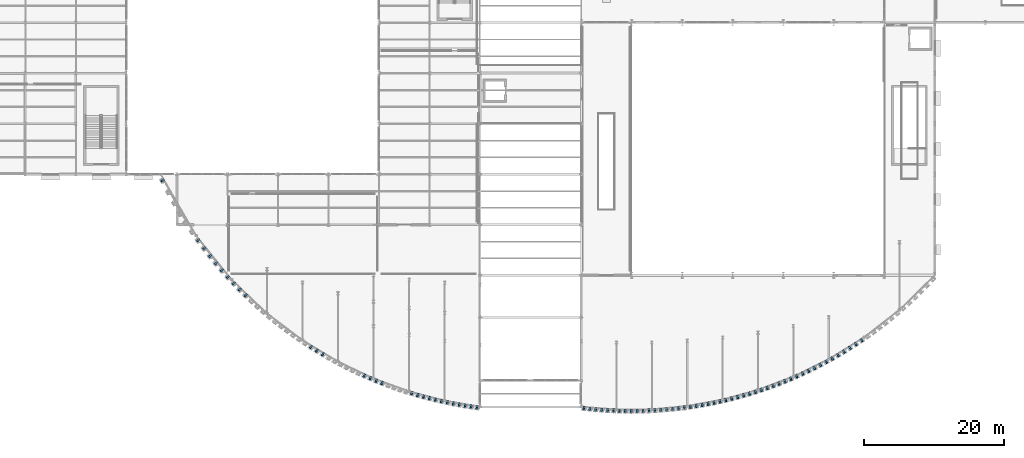
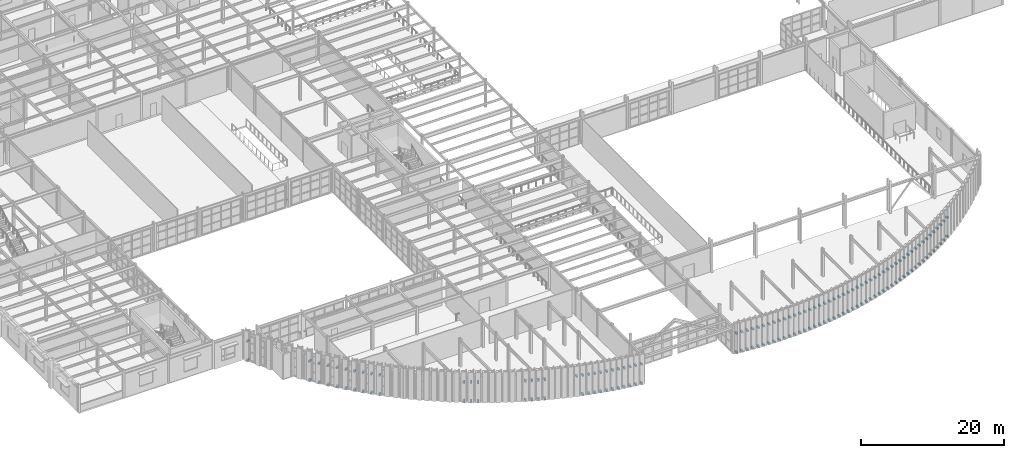
# One storey, part 111 of 126: 153 discrete accessories.
"""IFC4 building model written with IfcOpenShell, lengths in metres."""

from ifc_helpers import new_model, si_unit, direction, frame, origin, origin_2d, place, context, subcontext, project, spatial, rectangle, extrude, material, type_object, element, save


model = new_model("IFC4")

# Units and contexts
model_context = context("Model", 3, precision=1e-05, world=origin(), true_north=direction((0.0, 1.0)))
body_context = subcontext(model_context, "Body", "Model", "MODEL_VIEW")
ifc_project = project(units=[si_unit("LENGTHUNIT", "METRE"), si_unit("AREAUNIT", "SQUARE_METRE"), si_unit("VOLUMEUNIT", "CUBIC_METRE"), si_unit("PLANEANGLEUNIT", "RADIAN"), si_unit("MASSUNIT", "GRAM", prefix="KILO")], contexts=[model_context])

# Site, building, storey
site_placement = place(None, origin())
site = spatial("IfcSite", under=ifc_project, at=site_placement, CompositionType="ELEMENT")
building_placement = place(site_placement, origin())
building = spatial("IfcBuilding", under=site, at=building_placement, Name="Solvadek Multi-Sports Hall", CompositionType="ELEMENT")
storey_placement = place(building_placement, frame((0.0, 0.0, 9.60009765625)))
storey = spatial("IfcBuildingStorey", under=building, at=storey_placement, Name="L02", CompositionType="ELEMENT", Elevation=9.60009765625)

# Discrete accessories
ifc_material = material(Name="Steel E250 (250 MPa)", Category="steel")
discrete_accessory_type = type_object("IfcDiscreteAccessoryType", Name="ENV-BRK-CLEAT", PredefinedType="BRACKET", material=ifc_material)
for number, where, z_axis, x_axis, name in (
    (1, (26.75146484375, 19.50341796875, -0.01025390625), (0.0, 0.0, 1.0), (0.451555495273, -0.892243035663, 0.0), "L02 Screen Fixing Bracket #3"),
    (2, (26.75146484375, 19.50341796875, 3.2197265625), (0.0, 0.0, 1.0), (0.451555495273, -0.892243035663, 0.0), "L02 Screen Fixing Bracket #3"),
    (3, (31.82421875, 10.97705078125, -0.01025390625), (0.0, 0.0, 1.0), (0.593159455627, -0.805085001848, 0.0), "L02 Screen Fixing Bracket #15"),
    (4, (31.82421875, 10.97705078125, 3.2197265625), (0.0, 0.0, 1.0), (0.593159455627, -0.805085001848, 0.0), "L02 Screen Fixing Bracket #15"),
    (5, (32.667724609375, 9.832275390625, -0.01025390625), (0.0, 0.0, 1.0), (0.593159455627, -0.805085001848, 0.0), "L02 Screen Fixing Bracket #16"),
    (6, (32.667724609375, 9.832275390625, 3.2197265625), (0.0, 0.0, 1.0), (0.593159455627, -0.805085001848, 0.0), "L02 Screen Fixing Bracket #16"),
    (7, (33.51513671875, 8.735595703125, -0.01025390625), (0.0, 0.0, 1.0), (0.630677076434, -0.776045375774, 0.0), "L02 Screen Fixing Bracket #19"),
    (8, (33.51513671875, 8.735595703125, 3.2197265625), (0.0, 0.0, 1.0), (0.630677076434, -0.776045375774, 0.0), "L02 Screen Fixing Bracket #19"),
    (9, (34.358642578125, 7.69775390625, -0.01025390625), (0.0, 0.0, 1.0), (0.630677076434, -0.776045375774, 0.0), "L02 Screen Fixing Bracket #20"),
    (10, (34.358642578125, 7.69775390625, 3.2197265625), (0.0, 0.0, 1.0), (0.630677076434, -0.776045375774, 0.0), "L02 Screen Fixing Bracket #20"),
    (11, (35.2060546875, 6.7001953125, -0.01025390625), (0.0, 0.0, 1.0), (0.664767330468, -0.747050464388, 0.0), "L02 Screen Fixing Bracket #23"),
    (12, (35.2060546875, 6.7001953125, 3.2197265625), (0.0, 0.0, 1.0), (0.664767330468, -0.747050464388, 0.0), "L02 Screen Fixing Bracket #23"),
    (13, (36.049560546875, 5.75244140625, -0.01025390625), (0.0, 0.0, 1.0), (0.664767330468, -0.747050464388, 0.0), "L02 Screen Fixing Bracket #24"),
    (14, (36.049560546875, 5.75244140625, 3.2197265625), (0.0, 0.0, 1.0), (0.664767330468, -0.747050464388, 0.0), "L02 Screen Fixing Bracket #24"),
    (15, (36.89697265625, 4.8388671875, -0.01025390625), (0.0, 0.0, 1.0), (0.696004704957, -0.718037220956, 0.0), "L02 Screen Fixing Bracket #27"),
    (16, (36.89697265625, 4.8388671875, 3.2197265625), (0.0, 0.0, 1.0), (0.696004704957, -0.718037220956, 0.0), "L02 Screen Fixing Bracket #27"),
    (17, (37.740478515625, 3.96875, -0.01025390625), (0.0, 0.0, 1.0), (0.696004704957, -0.718037220956, 0.0), "L02 Screen Fixing Bracket #28"),
    (18, (37.740478515625, 3.96875, 3.2197265625), (0.0, 0.0, 1.0), (0.696004704957, -0.718037220956, 0.0), "L02 Screen Fixing Bracket #28"),
    (19, (38.587890625, 3.12890625, -0.01025390625), (0.0, 0.0, 1.0), (0.724733346655, -0.689029445123, 0.0), "L02 Screen Fixing Bracket #31"),
    (20, (38.587890625, 3.12890625, 3.2197265625), (0.0, 0.0, 1.0), (0.724733346655, -0.689029445123, 0.0), "L02 Screen Fixing Bracket #31"),
    (21, (47.885986328125, -4.216064453125, -0.01025390625), (0.0, 0.0, 1.0), (0.839053337602, -0.544049167502, 0.0), "L02 Screen Fixing Bracket #52"),
    (22, (47.885986328125, -4.216064453125, 3.2197265625), (0.0, 0.0, 1.0), (0.839053337602, -0.544049167502, 0.0), "L02 Screen Fixing Bracket #52"),
    (23, (48.7333984375, -4.74560546875, -0.01025390625), (0.0, 0.0, 1.0), (0.857129541862, -0.515100910956, 0.0), "L02 Screen Fixing Bracket #55"),
    (24, (48.7333984375, -4.74560546875, 3.2197265625), (0.0, 0.0, 1.0), (0.857129541862, -0.515100910956, 0.0), "L02 Screen Fixing Bracket #55"),
    (25, (49.576904296875, -5.25244140625, -0.01025390625), (0.0, 0.0, 1.0), (0.857129541862, -0.515100910956, 0.0), "L02 Screen Fixing Bracket #56"),
    (26, (49.576904296875, -5.25244140625, 3.2197265625), (0.0, 0.0, 1.0), (0.857129541862, -0.515100910956, 0.0), "L02 Screen Fixing Bracket #56"),
    (27, (55.4970703125, -8.302001953125, -0.01025390625), (0.0, 0.0, 1.0), (0.916917898667, -0.399075891409, 0.0), "L02 Screen Fixing Bracket #71"),
    (28, (55.4970703125, -8.302001953125, 3.2197265625), (0.0, 0.0, 1.0), (0.916917898667, -0.399075891409, 0.0), "L02 Screen Fixing Bracket #71"),
    (29, (56.340576171875, -8.6689453125, -0.01025390625), (0.0, 0.0, 1.0), (0.916917898667, -0.399075891409, 0.0), "L02 Screen Fixing Bracket #72"),
    (30, (56.340576171875, -8.6689453125, 3.2197265625), (0.0, 0.0, 1.0), (0.916917898667, -0.399075891409, 0.0), "L02 Screen Fixing Bracket #72"),
    (31, (57.18798828125, -9.022216796875, -0.01025390625), (0.0, 0.0, 1.0), (0.92898095972, -0.370127513808, 0.0), "L02 Screen Fixing Bracket #75"),
    (32, (57.18798828125, -9.022216796875, 3.2197265625), (0.0, 0.0, 1.0), (0.92898095972, -0.370127513808, 0.0), "L02 Screen Fixing Bracket #75"),
    (33, (58.031494140625, -9.3583984375, -0.01025390625), (0.0, 0.0, 1.0), (0.92898095972, -0.370127513808, 0.0), "L02 Screen Fixing Bracket #76"),
    (34, (58.031494140625, -9.3583984375, 3.2197265625), (0.0, 0.0, 1.0), (0.92898095972, -0.370127513808, 0.0), "L02 Screen Fixing Bracket #76"),
    (35, (62.260986328125, -10.821533203125, 3.2197265625), (0.0, 0.0, 1.0), (0.959064393359, -0.2831880813, 0.0), "L02 Screen Fixing Bracket #87"),
    (36, (63.104248046875, -11.070556640625, -0.01025390625), (0.0, 0.0, 1.0), (0.959064393359, -0.2831880813, 0.0), "L02 Screen Fixing Bracket #88"),
    (37, (63.104248046875, -11.070556640625, 3.2197265625), (0.0, 0.0, 1.0), (0.959064393359, -0.2831880813, 0.0), "L02 Screen Fixing Bracket #88"),
    (38, (63.951904296875, -11.306884765625, -0.01025390625), (0.0, 0.0, 1.0), (0.967172504077, -0.25412073382, 0.0), "L02 Screen Fixing Bracket #91"),
    (39, (63.951904296875, -11.306884765625, 3.2197265625), (0.0, 0.0, 1.0), (0.967172504077, -0.25412073382, 0.0), "L02 Screen Fixing Bracket #91"),
    (40, (64.795166015625, -11.528564453125, -0.01025390625), (0.0, 0.0, 1.0), (0.967172504077, -0.25412073382, 0.0), "L02 Screen Fixing Bracket #92"),
    (41, (64.795166015625, -11.528564453125, 3.2197265625), (0.0, 0.0, 1.0), (0.967172504077, -0.25412073382, 0.0), "L02 Screen Fixing Bracket #92"),
    (42, (65.642578125, -11.73779296875, -0.01025390625), (0.0, 0.0, 1.0), (0.974313261817, -0.225196953459, 0.0), "L02 Screen Fixing Bracket #95"),
    (43, (65.642578125, -11.73779296875, 3.2197265625), (0.0, 0.0, 1.0), (0.974313261817, -0.225196953459, 0.0), "L02 Screen Fixing Bracket #95"),
    (44, (66.486083984375, -11.932861328125, -0.01025390625), (0.0, 0.0, 1.0), (0.974313261817, -0.225196953459, 0.0), "L02 Screen Fixing Bracket #96"),
    (45, (66.486083984375, -11.932861328125, 3.2197265625), (0.0, 0.0, 1.0), (0.974313261817, -0.225196953459, 0.0), "L02 Screen Fixing Bracket #96"),
    (46, (67.333740234375, -12.115478515625, -0.01025390625), (0.0, 0.0, 1.0), (0.980567259161, -0.196183205861, 0.0), "L02 Screen Fixing Bracket #99"),
    (47, (67.333740234375, -12.115478515625, 3.2197265625), (0.0, 0.0, 1.0), (0.980567259161, -0.196183205861, 0.0), "L02 Screen Fixing Bracket #99"),
    (48, (68.177001953125, -12.284423828125, -0.01025390625), (0.0, 0.0, 1.0), (0.980567259161, -0.196183205861, 0.0), "L02 Screen Fixing Bracket #100"),
    (49, (68.177001953125, -12.284423828125, 3.2197265625), (0.0, 0.0, 1.0), (0.980567259161, -0.196183205861, 0.0), "L02 Screen Fixing Bracket #100"),
    (50, (69.024658203125, -12.44091796875, -0.01025390625), (0.0, 0.0, 1.0), (0.985919127793, -0.16722282575, 0.0), "L02 Screen Fixing Bracket #103"),
    (51, (69.024658203125, -12.44091796875, 3.2197265625), (0.0, 0.0, 1.0), (0.985919127793, -0.16722282575, 0.0), "L02 Screen Fixing Bracket #103"),
    (52, (69.867919921875, -12.583984375, -0.01025390625), (0.0, 0.0, 1.0), (0.985919127793, -0.16722282575, 0.0), "L02 Screen Fixing Bracket #104"),
    (53, (69.867919921875, -12.583984375, 3.2197265625), (0.0, 0.0, 1.0), (0.985919127793, -0.16722282575, 0.0), "L02 Screen Fixing Bracket #104"),
    (54, (70.715576171875, -12.715087890625, -0.01025390625), (0.0, 0.0, 1.0), (0.990403400267, -0.138206746357, 0.0), "L02 Screen Fixing Bracket #107"),
    (55, (70.715576171875, -12.715087890625, 3.2197265625), (0.0, 0.0, 1.0), (0.990403400267, -0.138206746357, 0.0), "L02 Screen Fixing Bracket #107"),
    (56, (71.558837890625, -12.832763671875, -0.01025390625), (0.0, 0.0, 1.0), (0.990403400267, -0.138206746357, 0.0), "L02 Screen Fixing Bracket #108"),
    (57, (71.558837890625, -12.832763671875, 3.2197265625), (0.0, 0.0, 1.0), (0.990403400267, -0.138206746357, 0.0), "L02 Screen Fixing Bracket #108"),
    (58, (86.8046875, -12.938232421875, -0.01025390625), (0.0, 0.0, 1.0), (0.99401078481, -0.109282019021, 0.0), "L02 Screen Fixing Bracket #111"),
    (59, (86.8046875, -12.938232421875, 3.2197265625), (0.0, 0.0, 1.0), (0.99401078481, -0.109282019021, 0.0), "L02 Screen Fixing Bracket #111"),
    (60, (87.644775390625, -13.030517578125, -0.01025390625), (0.0, 0.0, 1.0), (0.99401078481, -0.109282019021, 0.0), "L02 Screen Fixing Bracket #112"),
    (61, (87.644775390625, -13.030517578125, 3.2197265625), (0.0, 0.0, 1.0), (0.99401078481, -0.109282019021, 0.0), "L02 Screen Fixing Bracket #112"),
    (62, (88.48876953125, -13.111083984375, -0.01025390625), (0.0, 0.0, 1.0), (0.996758432085, -0.080452644873, 0.0), "L02 Screen Fixing Bracket #115"),
    (63, (88.48876953125, -13.111083984375, 3.2197265625), (0.0, 0.0, 1.0), (0.996758432085, -0.080452644873, 0.0), "L02 Screen Fixing Bracket #115"),
    (64, (89.328857421875, -13.178955078125, -0.01025390625), (0.0, 0.0, 1.0), (0.996758432085, -0.080452644873, 0.0), "L02 Screen Fixing Bracket #116"),
    (65, (89.328857421875, -13.178955078125, 3.2197265625), (0.0, 0.0, 1.0), (0.996758432085, -0.080452644873, 0.0), "L02 Screen Fixing Bracket #116"),
    (66, (90.1728515625, -13.234619140625, -0.01025390625), (0.0, 0.0, 1.0), (0.998671005445, -0.051538557245, 0.0), "L02 Screen Fixing Bracket #119"),
    (67, (90.1728515625, -13.234619140625, 3.2197265625), (0.0, 0.0, 1.0), (0.998671005445, -0.051538557245, 0.0), "L02 Screen Fixing Bracket #119"),
    (68, (91.0126953125, -13.278076171875, -0.01025390625), (0.0, 0.0, 1.0), (0.998671005445, -0.051538557245, 0.0), "L02 Screen Fixing Bracket #120"),
    (69, (91.0126953125, -13.278076171875, 3.2197265625), (0.0, 0.0, 1.0), (0.998671005445, -0.051538557245, 0.0), "L02 Screen Fixing Bracket #120"),
    (70, (91.85693359375, -13.309326171875, -0.01025390625), (0.0, 0.0, 1.0), (0.999742940353, -0.02267274168, 0.0), "L02 Screen Fixing Bracket #123"),
    (71, (91.85693359375, -13.309326171875, 3.2197265625), (0.0, 0.0, 1.0), (0.999742940353, -0.02267274168, 0.0), "L02 Screen Fixing Bracket #123"),
    (72, (92.69677734375, -13.328369140625, -0.01025390625), (0.0, 0.0, 1.0), (0.999742940353, -0.02267274168, 0.0), "L02 Screen Fixing Bracket #124"),
    (73, (92.69677734375, -13.328369140625, 3.2197265625), (0.0, 0.0, 1.0), (0.999742940353, -0.02267274168, 0.0), "L02 Screen Fixing Bracket #124"),
    (74, (93.540771484375, -13.33544921875, -0.01025390625), (0.0, 0.0, 1.0), (0.999980839553, 0.006190357575, 0.0), "L02 Screen Fixing Bracket #127"),
    (75, (93.540771484375, -13.33544921875, 3.2197265625), (0.0, 0.0, 1.0), (0.999980839553, 0.006190357575, 0.0), "L02 Screen Fixing Bracket #127"),
    (76, (94.380859375, -13.330078125, -0.01025390625), (0.0, 0.0, 1.0), (0.999980839553, 0.006190357575, 0.0), "L02 Screen Fixing Bracket #128"),
    (77, (94.380859375, -13.330078125, 3.2197265625), (0.0, 0.0, 1.0), (0.999980839553, 0.006190357575, 0.0), "L02 Screen Fixing Bracket #128"),
    (78, (95.224853515625, -13.312744140625, -0.01025390625), (0.0, 0.0, 1.0), (0.999385980888, 0.035037996585, 0.0), "L02 Screen Fixing Bracket #131"),
    (79, (95.224853515625, -13.312744140625, 3.2197265625), (0.0, 0.0, 1.0), (0.999385980888, 0.035037996585, 0.0), "L02 Screen Fixing Bracket #131"),
    (80, (96.06494140625, -13.283447265625, -0.01025390625), (0.0, 0.0, 1.0), (0.999385980888, 0.035037996585, 0.0), "L02 Screen Fixing Bracket #132"),
    (81, (96.06494140625, -13.283447265625, 3.2197265625), (0.0, 0.0, 1.0), (0.999385980888, 0.035037996585, 0.0), "L02 Screen Fixing Bracket #132"),
    (82, (96.908935546875, -13.241455078125, -0.01025390625), (0.0, 0.0, 1.0), (0.997955239955, 0.063916657037, 0.0), "L02 Screen Fixing Bracket #135"),
    (83, (96.908935546875, -13.241455078125, 3.2197265625), (0.0, 0.0, 1.0), (0.997955239955, 0.063916657037, 0.0), "L02 Screen Fixing Bracket #135"),
    (84, (97.7490234375, -13.187744140625, -0.01025390625), (0.0, 0.0, 1.0), (0.997955239955, 0.063916657037, 0.0), "L02 Screen Fixing Bracket #136"),
    (85, (97.7490234375, -13.187744140625, 3.2197265625), (0.0, 0.0, 1.0), (0.997955239955, 0.063916657037, 0.0), "L02 Screen Fixing Bracket #136"),
    (86, (98.593017578125, -13.121337890625, -0.01025390625), (0.0, 0.0, 1.0), (0.995683656408, 0.092811940833, 0.0), "L02 Screen Fixing Bracket #139"),
    (87, (98.593017578125, -13.121337890625, 3.2197265625), (0.0, 0.0, 1.0), (0.995683656408, 0.092811940833, 0.0), "L02 Screen Fixing Bracket #139"),
    (88, (99.43310546875, -13.04296875, -0.01025390625), (0.0, 0.0, 1.0), (0.995683656408, 0.092811940833, 0.0), "L02 Screen Fixing Bracket #140"),
    (89, (99.43310546875, -13.04296875, 3.2197265625), (0.0, 0.0, 1.0), (0.995683656408, 0.092811940833, 0.0), "L02 Screen Fixing Bracket #140"),
    (90, (100.277099609375, -12.951904296875, -0.01025390625), (0.0, 0.0, 1.0), (0.992573145786, 0.121649292087, 0.0), "L02 Screen Fixing Bracket #143"),
    (91, (100.277099609375, -12.951904296875, 3.2197265625), (0.0, 0.0, 1.0), (0.992573145786, 0.121649292087, 0.0), "L02 Screen Fixing Bracket #143"),
    (92, (101.116943359375, -12.84912109375, -0.01025390625), (0.0, 0.0, 1.0), (0.992573145786, 0.121649292087, 0.0), "L02 Screen Fixing Bracket #144"),
    (93, (101.116943359375, -12.84912109375, 3.2197265625), (0.0, 0.0, 1.0), (0.992573145786, 0.121649292087, 0.0), "L02 Screen Fixing Bracket #144"),
    (94, (101.961181640625, -12.733154296875, -0.01025390625), (0.0, 0.0, 1.0), (0.988605895809, 0.15052701675, 0.0), "L02 Screen Fixing Bracket #147"),
    (95, (101.961181640625, -12.733154296875, 3.2197265625), (0.0, 0.0, 1.0), (0.988605895809, 0.15052701675, 0.0), "L02 Screen Fixing Bracket #147"),
    (96, (102.801025390625, -12.605224609375, -0.01025390625), (0.0, 0.0, 1.0), (0.988605895809, 0.15052701675, 0.0), "L02 Screen Fixing Bracket #148"),
    (97, (102.801025390625, -12.605224609375, 3.2197265625), (0.0, 0.0, 1.0), (0.988605895809, 0.15052701675, 0.0), "L02 Screen Fixing Bracket #148"),
    (98, (103.64501953125, -12.4638671875, -0.01025390625), (0.0, 0.0, 1.0), (0.983772323835, 0.179421333339, 0.0), "L02 Screen Fixing Bracket #151"),
    (99, (103.64501953125, -12.4638671875, 3.2197265625), (0.0, 0.0, 1.0), (0.983772323835, 0.179421333339, 0.0), "L02 Screen Fixing Bracket #151"),
    (100, (104.485107421875, -12.310791015625, -0.01025390625), (0.0, 0.0, 1.0), (0.983772323835, 0.179421333339, 0.0), "L02 Screen Fixing Bracket #152"),
    (101, (104.485107421875, -12.310791015625, 3.2197265625), (0.0, 0.0, 1.0), (0.983772323835, 0.179421333339, 0.0), "L02 Screen Fixing Bracket #152"),
    (102, (105.3291015625, -12.143798828125, -0.01025390625), (0.0, 0.0, 1.0), (0.978075914323, 0.208248663432, 0.0), "L02 Screen Fixing Bracket #155"),
    (103, (105.3291015625, -12.143798828125, 3.2197265625), (0.0, 0.0, 1.0), (0.978075914323, 0.208248663432, 0.0), "L02 Screen Fixing Bracket #155"),
    (104, (106.169189453125, -11.965087890625, -0.01025390625), (0.0, 0.0, 1.0), (0.978075914323, 0.208248663432, 0.0), "L02 Screen Fixing Bracket #156"),
    (105, (106.169189453125, -11.965087890625, 3.2197265625), (0.0, 0.0, 1.0), (0.978075914323, 0.208248663432, 0.0), "L02 Screen Fixing Bracket #156"),
    (106, (107.01318359375, -11.772216796875, -0.01025390625), (0.0, 0.0, 1.0), (0.971474540489, 0.237143874435, 0.0), "L02 Screen Fixing Bracket #159"),
    (107, (107.01318359375, -11.772216796875, 3.2197265625), (0.0, 0.0, 1.0), (0.971474540489, 0.237143874435, 0.0), "L02 Screen Fixing Bracket #159"),
    (108, (107.853271484375, -11.567138671875, -0.01025390625), (0.0, 0.0, 1.0), (0.971474540489, 0.237143874435, 0.0), "L02 Screen Fixing Bracket #160"),
    (109, (107.853271484375, -11.567138671875, 3.2197265625), (0.0, 0.0, 1.0), (0.971474540489, 0.237143874435, 0.0), "L02 Screen Fixing Bracket #160"),
    (110, (108.697265625, -11.34765625, -0.01025390625), (0.0, 0.0, 1.0), (0.963970297161, 0.266009898671, 0.0), "L02 Screen Fixing Bracket #163"),
    (111, (108.697265625, -11.34765625, 3.2197265625), (0.0, 0.0, 1.0), (0.963970297161, 0.266009898671, 0.0), "L02 Screen Fixing Bracket #163"),
    (112, (109.537353515625, -11.115966796875, -0.01025390625), (0.0, 0.0, 1.0), (0.963970297161, 0.266009898671, 0.0), "L02 Screen Fixing Bracket #164"),
    (113, (109.537353515625, -11.115966796875, 3.2197265625), (0.0, 0.0, 1.0), (0.963970297161, 0.266009898671, 0.0), "L02 Screen Fixing Bracket #164"),
    (114, (110.38134765625, -10.869140625, -0.01025390625), (0.0, 0.0, 1.0), (0.955526555938, 0.294905070993, 0.0), "L02 Screen Fixing Bracket #167"),
    (115, (110.38134765625, -10.869140625, 3.2197265625), (0.0, 0.0, 1.0), (0.955526555938, 0.294905070993, 0.0), "L02 Screen Fixing Bracket #167"),
    (116, (111.22119140625, -10.60986328125, -0.01025390625), (0.0, 0.0, 1.0), (0.955526555938, 0.294905070993, 0.0), "L02 Screen Fixing Bracket #168"),
    (117, (111.22119140625, -10.60986328125, 3.2197265625), (0.0, 0.0, 1.0), (0.955526555938, 0.294905070993, 0.0), "L02 Screen Fixing Bracket #168"),
    (118, (112.0654296875, -10.335205078125, -0.01025390625), (0.0, 0.0, 1.0), (0.946153090794, 0.323719521778, 0.0), "L02 Screen Fixing Bracket #171"),
    (119, (112.0654296875, -10.335205078125, 3.2197265625), (0.0, 0.0, 1.0), (0.946153090794, 0.323719521778, 0.0), "L02 Screen Fixing Bracket #171"),
    (120, (112.9052734375, -10.0478515625, -0.01025390625), (0.0, 0.0, 1.0), (0.946153090794, 0.323719521778, 0.0), "L02 Screen Fixing Bracket #172"),
    (121, (112.9052734375, -10.0478515625, 3.2197265625), (0.0, 0.0, 1.0), (0.946153090794, 0.323719521778, 0.0), "L02 Screen Fixing Bracket #172"),
    (122, (113.749267578125, -9.744384765625, -0.01025390625), (0.0, 0.0, 1.0), (0.935760271469, 0.352636802305, 0.0), "L02 Screen Fixing Bracket #175"),
    (123, (113.749267578125, -9.744384765625, 3.2197265625), (0.0, 0.0, 1.0), (0.935760271469, 0.352636802305, 0.0), "L02 Screen Fixing Bracket #175"),
    (124, (114.58935546875, -9.427978515625, -0.01025390625), (0.0, 0.0, 1.0), (0.935760271469, 0.352636802305, 0.0), "L02 Screen Fixing Bracket #176"),
    (125, (114.58935546875, -9.427978515625, 3.2197265625), (0.0, 0.0, 1.0), (0.935760271469, 0.352636802305, 0.0), "L02 Screen Fixing Bracket #176"),
    (126, (115.433349609375, -9.0947265625, -0.01025390625), (0.0, 0.0, 1.0), (0.924380401082, 0.381471983369, 0.0), "L02 Screen Fixing Bracket #179"),
    (127, (115.433349609375, -9.0947265625, 3.2197265625), (0.0, 0.0, 1.0), (0.924380401082, 0.381471983369, 0.0), "L02 Screen Fixing Bracket #179"),
    (128, (116.2734375, -8.748046875, -0.01025390625), (0.0, 0.0, 1.0), (0.924380401082, 0.381471983369, 0.0), "L02 Screen Fixing Bracket #180"),
    (129, (116.2734375, -8.748046875, 3.2197265625), (0.0, 0.0, 1.0), (0.924380401082, 0.381471983369, 0.0), "L02 Screen Fixing Bracket #180"),
    (130, (117.117431640625, -8.384033203125, -0.01025390625), (0.0, 0.0, 1.0), (0.911921505175, 0.41036467733, 0.0), "L02 Screen Fixing Bracket #183"),
    (131, (117.117431640625, -8.384033203125, 3.2197265625), (0.0, 0.0, 1.0), (0.911921505175, 0.41036467733, 0.0), "L02 Screen Fixing Bracket #183"),
    (132, (117.95751953125, -8.005859375, -0.01025390625), (0.0, 0.0, 1.0), (0.911921505175, 0.41036467733, 0.0), "L02 Screen Fixing Bracket #184"),
    (133, (117.95751953125, -8.005859375, 3.2197265625), (0.0, 0.0, 1.0), (0.911921505175, 0.41036467733, 0.0), "L02 Screen Fixing Bracket #184"),
    (134, (118.801513671875, -7.609619140625, -0.01025390625), (0.0, 0.0, 1.0), (0.898370293848, 0.439238904392, 0.0), "L02 Screen Fixing Bracket #187"),
    (135, (118.801513671875, -7.609619140625, 3.2197265625), (0.0, 0.0, 1.0), (0.898370293848, 0.439238904392, 0.0), "L02 Screen Fixing Bracket #187"),
    (136, (119.6416015625, -7.198974609375, -0.01025390625), (0.0, 0.0, 1.0), (0.898370293848, 0.439238904392, 0.0), "L02 Screen Fixing Bracket #188"),
    (137, (119.6416015625, -7.198974609375, 3.2197265625), (0.0, 0.0, 1.0), (0.898370293848, 0.439238904392, 0.0), "L02 Screen Fixing Bracket #188"),
    (138, (120.485595703125, -6.76904296875, -0.01025390625), (0.0, 0.0, 1.0), (0.883681698244, 0.468088299565, 0.0), "L02 Screen Fixing Bracket #191"),
    (139, (120.485595703125, -6.76904296875, 3.2197265625), (0.0, 0.0, 1.0), (0.883681698244, 0.468088299565, 0.0), "L02 Screen Fixing Bracket #191"),
    (140, (121.325439453125, -6.32421875, -0.01025390625), (0.0, 0.0, 1.0), (0.883681698244, 0.468088299565, 0.0), "L02 Screen Fixing Bracket #192"),
    (141, (121.325439453125, -6.32421875, 3.2197265625), (0.0, 0.0, 1.0), (0.883681698244, 0.468088299565, 0.0), "L02 Screen Fixing Bracket #192"),
    (142, (122.169677734375, -5.85888671875, -0.01025390625), (0.0, 0.0, 1.0), (0.867753217729, 0.496995325049, 0.0), "L02 Screen Fixing Bracket #195"),
    (143, (122.169677734375, -5.85888671875, 3.2197265625), (0.0, 0.0, 1.0), (0.867753217729, 0.496995325049, 0.0), "L02 Screen Fixing Bracket #195"),
    (144, (123.009521484375, -5.3779296875, -0.01025390625), (0.0, 0.0, 1.0), (0.867753217729, 0.496995325049, 0.0), "L02 Screen Fixing Bracket #196"),
    (145, (123.009521484375, -5.3779296875, 3.2197265625), (0.0, 0.0, 1.0), (0.867753217729, 0.496995325049, 0.0), "L02 Screen Fixing Bracket #196"),
    (146, (123.853515625, -4.875244140625, -0.01025390625), (0.0, 0.0, 1.0), (0.850582217599, 0.525842078103, 0.0), "L02 Screen Fixing Bracket #199"),
    (147, (123.853515625, -4.875244140625, 3.2197265625), (0.0, 0.0, 1.0), (0.850582217599, 0.525842078103, 0.0), "L02 Screen Fixing Bracket #199"),
    (148, (124.693603515625, -4.35595703125, -0.01025390625), (0.0, 0.0, 1.0), (0.850582217599, 0.525842078103, 0.0), "L02 Screen Fixing Bracket #200"),
    (149, (124.693603515625, -4.35595703125, 3.2197265625), (0.0, 0.0, 1.0), (0.850582217599, 0.525842078103, 0.0), "L02 Screen Fixing Bracket #200"),
    (150, (125.53759765625, -3.813720703125, -0.01025390625), (0.0, 0.0, 1.0), (0.832027435734, 0.5547344826, 0.0), "L02 Screen Fixing Bracket #203"),
    (151, (125.53759765625, -3.813720703125, 3.2197265625), (0.0, 0.0, 1.0), (0.832027435734, 0.5547344826, 0.0), "L02 Screen Fixing Bracket #203"),
    (152, (126.377685546875, -3.253662109375, -0.01025390625), (0.0, 0.0, 1.0), (0.832027435734, 0.5547344826, 0.0), "L02 Screen Fixing Bracket #204"),
    (153, (126.377685546875, -3.253662109375, 3.2197265625), (0.0, 0.0, 1.0), (0.832027435734, 0.5547344826, 0.0), "L02 Screen Fixing Bracket #204"),
):
    element("IfcDiscreteAccessory", number, at=place(storey_placement, frame(where, z_axis=z_axis, x_axis=x_axis)), inside=storey, type_object=discrete_accessory_type, Name=name, PredefinedType="BRACKET", context=body_context, shape_type="SweptSolid", body=[
        extrude(rectangle(XDim=0.260009765625, YDim=0.5, at=origin_2d()), origin(), (0.0, 0.0, 1.0), 0.260009765625),
    ])

save(model, "model.ifc")
